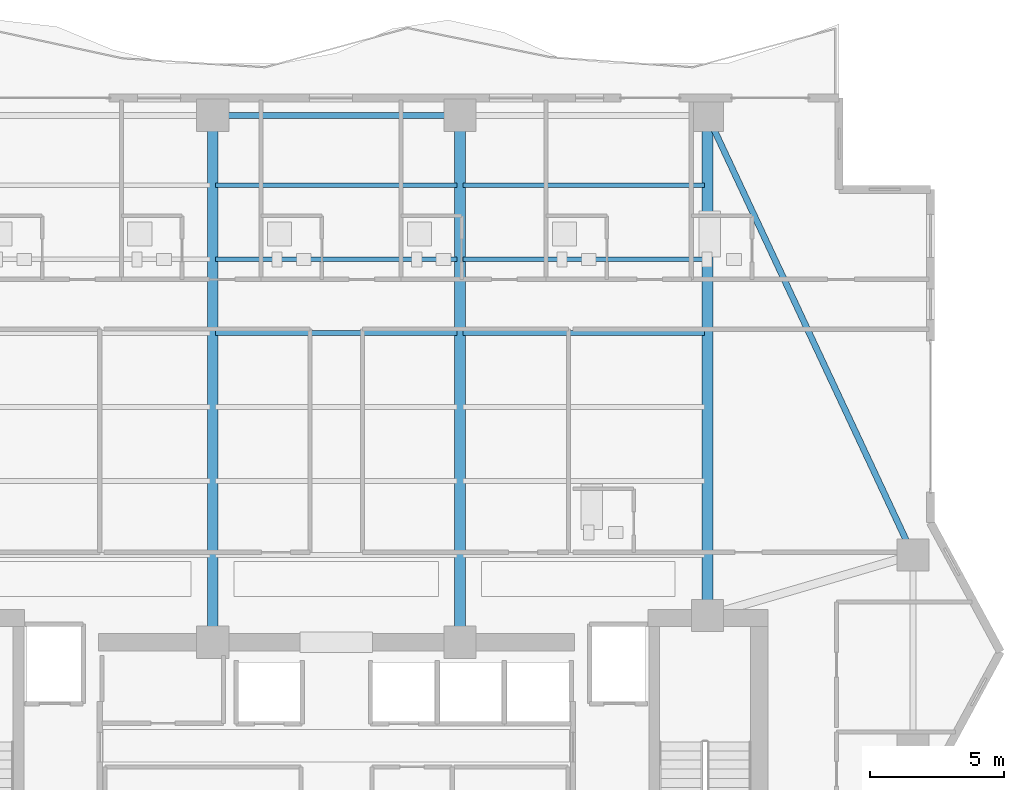
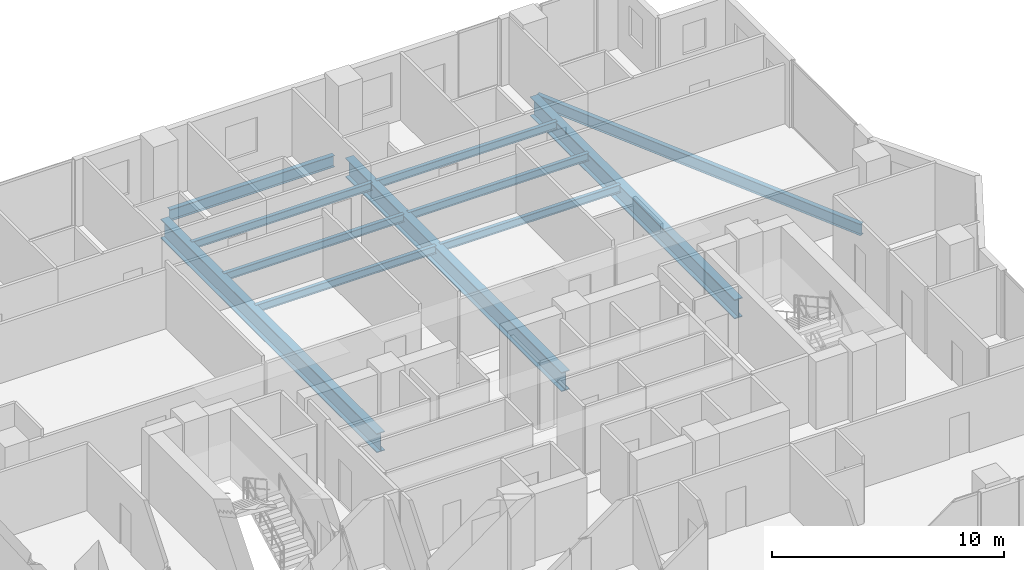
# One storey, part 20 of 33: 11 beams.
"""IFC4 building model written with IfcOpenShell, lengths in metres."""

import ifcopenshell
import ifcopenshell.guid

model = None  # the IFC model being written
_history = None  # IfcOwnerHistory: only IFC2X3 demands one
_inside = {}  # id of a spatial element -> (the spatial element, [elements in it])
_under = {}  # id of a project, library or spatial element -> (it, [spatial elements below it])
_declared = {}  # id of a project -> (the project, [libraries it declares])
_typed = {}  # id of a type object -> (the type object, [elements of that type])
_made_of = {}  # id of a material, layer set ... -> (it, [elements and type objects made of it])


def new_model(schema):
    """Start an empty IFC model of exactly this schema.

    Asked for "IFC4X3", IfcOpenShell would pick the latest addendum, in which some entities
    have other attributes; the version numbers below select the first issue.
    IFC2X3 requires an IfcOwnerHistory on every rooted entity: one is made here for all.
    """
    global model, _history
    if schema == "IFC4X3":
        model = ifcopenshell.file(schema_version=(4, 3, 0, 0))
    else:
        model = ifcopenshell.file(schema=schema)
    _inside.clear()
    _under.clear()
    _declared.clear()
    _typed.clear()
    _made_of.clear()
    _history = None
    if model.schema == "IFC2X3":
        org = make("IfcOrganization", Name="unknown")
        user = make(
            "IfcPersonAndOrganization",
            ThePerson=make("IfcPerson", FamilyName="unknown"),
            TheOrganization=org,
        )
        app = make(
            "IfcApplication",
            ApplicationDeveloper=org,
            Version="unknown",
            ApplicationFullName="unknown",
            ApplicationIdentifier="unknown",
        )
        _history = make(
            "IfcOwnerHistory",
            OwningUser=user,
            OwningApplication=app,
            ChangeAction="ADDED",
            CreationDate=0,
        )
    return model


def make(cls, **values):
    """One entity of the class cls with the attributes given. An attribute that is None is left unset."""
    return model.create_entity(
        cls, **{name: value for name, value in values.items() if value is not None}
    )


def rooted(cls, **values):
    """An entity with a GlobalId (a new one), such as an element, a storey or a relation."""
    return make(cls, GlobalId=ifcopenshell.guid.new(), OwnerHistory=_history, **values)


def si_unit(unit_type, name, prefix=None):
    """IfcSIUnit, for example si_unit("LENGTHUNIT", "METRE", prefix="MILLI")."""
    return make("IfcSIUnit", UnitType=unit_type, Prefix=prefix, Name=name)


def assignment(units):
    """IfcUnitAssignment: the units of a project."""
    return None if units is None else make("IfcUnitAssignment", Units=units)


def point(xyz):
    """IfcCartesianPoint."""
    return None if xyz is None else make("IfcCartesianPoint", Coordinates=xyz)


def direction(xyz):
    """IfcDirection."""
    return None if xyz is None else make("IfcDirection", DirectionRatios=xyz)


def frame(location, z_axis=None, x_axis=None):
    """IfcAxis2Placement3D, a coordinate frame: its origin and axes. An axis left out is left unset."""
    return make(
        "IfcAxis2Placement3D",
        Location=point(location),
        Axis=direction(z_axis),
        RefDirection=direction(x_axis),
    )


def frame_2d(location, x_axis=None):
    """IfcAxis2Placement2D, a coordinate frame in the plane: its origin and x axis."""
    return make(
        "IfcAxis2Placement2D", Location=point(location), RefDirection=direction(x_axis)
    )


def origin():
    """The frame at (0, 0, 0) with its axes left unset."""
    return frame((0.0, 0.0, 0.0))


def origin_2d():
    """The frame at (0, 0) in the plane with its x axis left unset."""
    return frame_2d((0.0, 0.0))


def place(relative_to, where):
    """IfcLocalPlacement: puts the frame where relative to a parent placement (None: the world)."""
    return make(
        "IfcLocalPlacement", PlacementRelTo=relative_to, RelativePlacement=where
    )


def context(
    kind, dimensions, precision=None, world=None, true_north=None, identifier=None
):
    """IfcGeometricRepresentationContext, for example the 3D "Model" context."""
    return make(
        "IfcGeometricRepresentationContext",
        ContextIdentifier=identifier,
        ContextType=kind,
        CoordinateSpaceDimension=dimensions,
        Precision=precision,
        WorldCoordinateSystem=world,
        TrueNorth=true_north,
    )


def subcontext(parent, identifier, kind, view, scale=None):
    """IfcGeometricRepresentationSubContext, for example "Body" below "Model"."""
    return make(
        "IfcGeometricRepresentationSubContext",
        ContextIdentifier=identifier,
        ContextType=kind,
        ParentContext=parent,
        TargetScale=scale,
        TargetView=view,
    )


def project(units=None, contexts=None):
    """IfcProject with its units and contexts."""
    return rooted(
        "IfcProject",
        Name="project",
        RepresentationContexts=contexts,
        UnitsInContext=assignment(units),
    )


def spatial(cls, under=None, at=None, **own):
    """A site, building, storey or space (cls), placed at a placement, below another one or the project."""
    s = rooted(cls, ObjectPlacement=at, **own)
    if under is not None:
        _under.setdefault(under.id(), (under, []))[1].append(s)
    return s


def profile(cls, at=None, kind="AREA", **sizes):
    """A parametric profile (cls). Its sizes go by their IFC names, for example OverallWidth=200.0."""
    return make(cls, ProfileType=kind, Position=at, **sizes)


def i_section(**sizes):
    """IfcIShapeProfileDef."""
    return profile("IfcIShapeProfileDef", **sizes)


def extrude(swept, where, along, depth):
    """IfcExtrudedAreaSolid: the profile swept, set in the frame where, extruded along a direction by depth."""
    return make(
        "IfcExtrudedAreaSolid",
        SweptArea=swept,
        Position=where,
        ExtrudedDirection=direction(along),
        Depth=depth,
    )


def shape(context_of_items, identifier, shape_type, items):
    """IfcShapeRepresentation: the items that make up one representation, for example the "Body"."""
    return make(
        "IfcShapeRepresentation",
        ContextOfItems=context_of_items,
        RepresentationIdentifier=identifier,
        RepresentationType=shape_type,
        Items=items,
    )


def material(Name=None, Category=None):
    """IfcMaterial."""
    return make("IfcMaterial", Name=Name, Category=Category)


def material_profile(
    of_material, cross_section, Name=None, Category=None, Priority=None
):
    """IfcMaterialProfile: a cross section and its material."""
    return make(
        "IfcMaterialProfile",
        Name=Name,
        Material=of_material,
        Profile=cross_section,
        Priority=Priority,
        Category=Category,
    )


def profile_set(profiles, Name=None, composite=None):
    """IfcMaterialProfileSet."""
    return make(
        "IfcMaterialProfileSet",
        Name=Name,
        MaterialProfiles=profiles,
        CompositeProfile=composite,
    )


def made_of(thing, what):
    """Note that an element or type object is made of a material, layer set ...; save() writes the relation."""
    if what is not None:
        _made_of.setdefault(what.id(), (what, []))[1].append(thing)
    return thing


def type_object(cls, material=None, **own):
    """A type object (cls), such as IfcWallType, which elements share."""
    return made_of(rooted(cls, **own), material)


def element(
    cls,
    number,
    at=None,
    inside=None,
    cuts=None,
    type_object=None,
    material=None,
    context=None,
    identifier="Body",
    shape_type=None,
    held_by="IfcProductDefinitionShape",
    body=None,
    shapes=None,
    **own,
):
    """One element of the class cls, such as IfcWall. Its Tag is "e" and its number.

    at: its placement. inside: the storey or other place that contains it. cuts: it is an
    opening in that element (IfcRelVoidsElement). A single representation is given by context,
    identifier, shape_type and body (its items); several are given by shapes. held_by: the class
    of the entity that holds the representations. save() writes the other relations.
    """
    e = rooted(cls, Tag="e%d" % number, ObjectPlacement=at, **own)
    if body is not None:
        shapes = [shape(context, identifier, shape_type, body)]
    if shapes is not None:
        e.Representation = make(held_by, Representations=shapes)
    if inside is not None:
        _inside.setdefault(inside.id(), (inside, []))[1].append(e)
    if cuts is not None:
        rooted(
            "IfcRelVoidsElement", RelatingBuildingElement=cuts, RelatedOpeningElement=e
        )
    if type_object is not None:
        _typed.setdefault(type_object.id(), (type_object, []))[1].append(e)
    return made_of(e, material)


def aggregate(whole, parts):
    """IfcRelAggregates: a whole, such as a stair, and the parts it consists of."""
    return rooted("IfcRelAggregates", RelatingObject=whole, RelatedObjects=parts)


def save(model, path):
    """Write the relations noted so far, then the file.

    IfcRelAggregates (storeys below a building ...), IfcRelContainedInSpatialStructure (elements
    in a storey), IfcRelDefinesByType, IfcRelAssociatesMaterial and IfcRelDeclares: one each for
    every whole, place, type object, material and project.
    """
    for whole, parts in _under.values():
        aggregate(whole, parts)
    for where, things in _inside.values():
        rooted(
            "IfcRelContainedInSpatialStructure",
            RelatedElements=things,
            RelatingStructure=where,
        )
    for kind, things in _typed.values():
        rooted("IfcRelDefinesByType", RelatedObjects=things, RelatingType=kind)
    for what, things in _made_of.values():
        rooted("IfcRelAssociatesMaterial", RelatedObjects=things, RelatingMaterial=what)
    for by, libraries in _declared.values():
        rooted("IfcRelDeclares", RelatingContext=by, RelatedDefinitions=libraries)
    model.write(path)


model = new_model("IFC4")

# Units and contexts
model_context = context("Model", 3, precision=1e-05, world=origin(), true_north=direction((0.0, 1.0)))
body_context = subcontext(model_context, "Body", "Model", "MODEL_VIEW")
ifc_project = project(units=[si_unit("LENGTHUNIT", "METRE"), si_unit("AREAUNIT", "SQUARE_METRE"), si_unit("VOLUMEUNIT", "CUBIC_METRE"), si_unit("PLANEANGLEUNIT", "RADIAN"), si_unit("MASSUNIT", "GRAM", prefix="KILO")], contexts=[model_context])

# Site, building, storey
site_placement = place(None, origin())
site = spatial("IfcSite", under=ifc_project, at=site_placement, CompositionType="ELEMENT")
building_placement = place(site_placement, origin())
building = spatial("IfcBuilding", under=site, at=building_placement, Name="Zuhayl Quay Hotel", CompositionType="ELEMENT")
storey_placement = place(building_placement, frame((0.0, 0.0, 199.89990234375)))
storey = spatial("IfcBuildingStorey", under=building, at=storey_placement, Name="L50", CompositionType="ELEMENT", Elevation=199.89990234375)

# Beams
ifc_material = material(Name="Steel ASTM A992 Grade 50", Category="steel")
ifc_material_profile_1 = material_profile(ifc_material, i_section(OverallWidth=0.22802734375, OverallDepth=0.60693359375, WebThickness=0.01123046875, FlangeThickness=0.017333984375, at=origin_2d()), Name="W24X76")
ifc_profile_set_1 = profile_set([ifc_material_profile_1], Name="Steel ASTM A992 Grade 50")
beam_type_1 = type_object("IfcBeamType", Name="BM_B3_W24X76", PredefinedType="BEAM", material=ifc_profile_set_1)
beam_1_placement = place(storey_placement, frame((21.238037109375, 17.052978515625, -0.5234375), z_axis=(-0.423792164429, 0.905759461098, 0.0), x_axis=(-0.905759461098, -0.423792164429, 0.0)))
element("IfcBeam", 1, at=beam_1_placement, inside=storey, type_object=beam_type_1, Name="L50 Floor Beam RG_L50_06", PredefinedType="BEAM", context=body_context, shape_type="SweptSolid", body=[
    extrude(i_section(OverallWidth=0.22802734375, OverallDepth=0.60693359375, WebThickness=0.01123046875, FlangeThickness=0.017333984375, at=origin_2d()), origin(), (0.0, 0.0, 1.0), 17.051025390625),
])
beam_2_placement = place(storey_placement, frame((4.10009765625, 32.949951171875, -0.5234375), z_axis=(-1.0, 0.0, 0.0), x_axis=(0.0, -1.0, 0.0)))
element("IfcBeam", 2, at=beam_2_placement, inside=storey, type_object=beam_type_1, Name="L50 Floor Beam RG_L50_08", PredefinedType="BEAM", context=body_context, shape_type="SweptSolid", body=[
    extrude(i_section(OverallWidth=0.22802734375, OverallDepth=0.60693359375, WebThickness=0.01123046875, FlangeThickness=0.017333984375, at=origin_2d()), origin(), (0.0, 0.0, 1.0), 8.2001953125),
])
ifc_material_profile_2 = material_profile(ifc_material, i_section(OverallWidth=0.177978515625, OverallDepth=0.406005859375, WebThickness=0.0078125, FlangeThickness=0.0126953125, at=origin_2d()), Name="W16X40")
ifc_profile_set_2 = profile_set([ifc_material_profile_2], Name="Steel ASTM A992 Grade 50")
beam_type_2 = type_object("IfcBeamType", Name="BM_J2B_W16X40", PredefinedType="JOIST", material=ifc_profile_set_2)
beam_3_placement = place(storey_placement, frame((-4.493896484375, 24.85009765625, -0.4228515625), z_axis=(1.0, 0.0, 0.0), x_axis=(0.0, 1.0, 0.0)))
element("IfcBeam", 3, at=beam_3_placement, inside=storey, type_object=beam_type_2, Name="L50 Floor Beam FJ_L50_4_2", PredefinedType="JOIST", context=body_context, shape_type="SweptSolid", body=[
    extrude(i_section(OverallWidth=0.177978515625, OverallDepth=0.406005859375, WebThickness=0.0078125, FlangeThickness=0.0126953125, at=origin_2d()), origin(), (0.0, 0.0, 1.0), 8.98779296875),
])
beam_4_placement = place(storey_placement, frame((4.7060546875, 24.85009765625, -0.4228515625), z_axis=(1.0, 0.0, 0.0), x_axis=(0.0, 1.0, 0.0)))
element("IfcBeam", 4, at=beam_4_placement, inside=storey, type_object=beam_type_2, Name="L50 Floor Beam FJ_L50_4_3", PredefinedType="JOIST", context=body_context, shape_type="SweptSolid", body=[
    extrude(i_section(OverallWidth=0.177978515625, OverallDepth=0.406005859375, WebThickness=0.0078125, FlangeThickness=0.0126953125, at=origin_2d()), origin(), (0.0, 0.0, 1.0), 8.988037109375),
])
beam_5_placement = place(storey_placement, frame((-4.493896484375, 27.60009765625, -0.4228515625), z_axis=(1.0, 0.0, 0.0), x_axis=(0.0, 1.0, 0.0)))
element("IfcBeam", 5, at=beam_5_placement, inside=storey, type_object=beam_type_2, Name="L50 Floor Beam FJ_L50_5_2", PredefinedType="JOIST", context=body_context, shape_type="SweptSolid", body=[
    extrude(i_section(OverallWidth=0.177978515625, OverallDepth=0.406005859375, WebThickness=0.0078125, FlangeThickness=0.0126953125, at=origin_2d()), origin(), (0.0, 0.0, 1.0), 8.98779296875),
])
beam_6_placement = place(storey_placement, frame((4.7060546875, 27.60009765625, -0.4228515625), z_axis=(1.0, 0.0, 0.0), x_axis=(0.0, 1.0, 0.0)))
element("IfcBeam", 6, at=beam_6_placement, inside=storey, type_object=beam_type_2, Name="L50 Floor Beam FJ_L50_5_3", PredefinedType="JOIST", context=body_context, shape_type="SweptSolid", body=[
    extrude(i_section(OverallWidth=0.177978515625, OverallDepth=0.406005859375, WebThickness=0.0078125, FlangeThickness=0.0126953125, at=origin_2d()), origin(), (0.0, 0.0, 1.0), 8.988037109375),
])
beam_7_placement = place(storey_placement, frame((-4.493896484375, 30.35009765625, -0.4228515625), z_axis=(1.0, 0.0, 0.0), x_axis=(0.0, 1.0, 0.0)))
element("IfcBeam", 7, at=beam_7_placement, inside=storey, type_object=beam_type_2, Name="L50 Floor Beam FJ_L50_6_2", PredefinedType="JOIST", context=body_context, shape_type="SweptSolid", body=[
    extrude(i_section(OverallWidth=0.177978515625, OverallDepth=0.406005859375, WebThickness=0.0078125, FlangeThickness=0.0126953125, at=origin_2d()), origin(), (0.0, 0.0, 1.0), 8.98779296875),
])
beam_8_placement = place(storey_placement, frame((4.7060546875, 30.35009765625, -0.4228515625), z_axis=(1.0, 0.0, 0.0), x_axis=(0.0, 1.0, 0.0)))
element("IfcBeam", 8, at=beam_8_placement, inside=storey, type_object=beam_type_2, Name="L50 Floor Beam FJ_L50_6_3", PredefinedType="JOIST", context=body_context, shape_type="SweptSolid", body=[
    extrude(i_section(OverallWidth=0.177978515625, OverallDepth=0.406005859375, WebThickness=0.0078125, FlangeThickness=0.0126953125, at=origin_2d()), origin(), (0.0, 0.0, 1.0), 8.988037109375),
])
ifc_material_profile_3 = material_profile(ifc_material, i_section(OverallWidth=0.40087890625, OverallDepth=1.010986328125, WebThickness=0.023681640625, FlangeThickness=0.0419921875, at=origin_2d()), Name="W40X297")
ifc_profile_set_3 = profile_set([ifc_material_profile_3], Name="Steel ASTM A992 Grade 50")
beam_type_3 = type_object("IfcBeamType", Name="BM_TG2_W40X297", PredefinedType="BEAM", material=ifc_profile_set_3)
for number, where, z_axis, x_axis, name in (
    (9, (-4.60009765625, 13.800048828125, -0.725341796875), (0.0, 1.0, 0.0), (-1.0, 0.0, 0.0), "L50 Floor Beam FG_N_L50_2"),
    (10, (4.60009765625, 13.800048828125, -0.725341796875), (0.0, 1.0, 0.0), (-1.0, 0.0, 0.0), "L50 Floor Beam FG_N_L50_3"),
):
    element("IfcBeam", number, at=place(storey_placement, frame(where, z_axis=z_axis, x_axis=x_axis)), inside=storey, type_object=beam_type_3, Name=name, PredefinedType="BEAM", context=body_context, shape_type="SweptSolid", body=[
        extrude(i_section(OverallWidth=0.40087890625, OverallDepth=1.010986328125, WebThickness=0.023681640625, FlangeThickness=0.0419921875, at=origin_2d()), origin(), (0.0, 0.0, 1.0), 18.64990234375),
    ])
beam_9_placement = place(storey_placement, frame((13.800048828125, 14.800048828125, -0.725341796875), z_axis=(0.0, 1.0, 0.0), x_axis=(-1.0, 0.0, 0.0)))
element("IfcBeam", 11, at=beam_9_placement, inside=storey, type_object=beam_type_3, Name="L50 Floor Beam FG_N_L50_4", PredefinedType="BEAM", context=body_context, shape_type="SweptSolid", body=[
    extrude(i_section(OverallWidth=0.40087890625, OverallDepth=1.010986328125, WebThickness=0.023681640625, FlangeThickness=0.0419921875, at=origin_2d()), origin(), (0.0, 0.0, 1.0), 17.64990234375),
])

save(model, "model.ifc")
